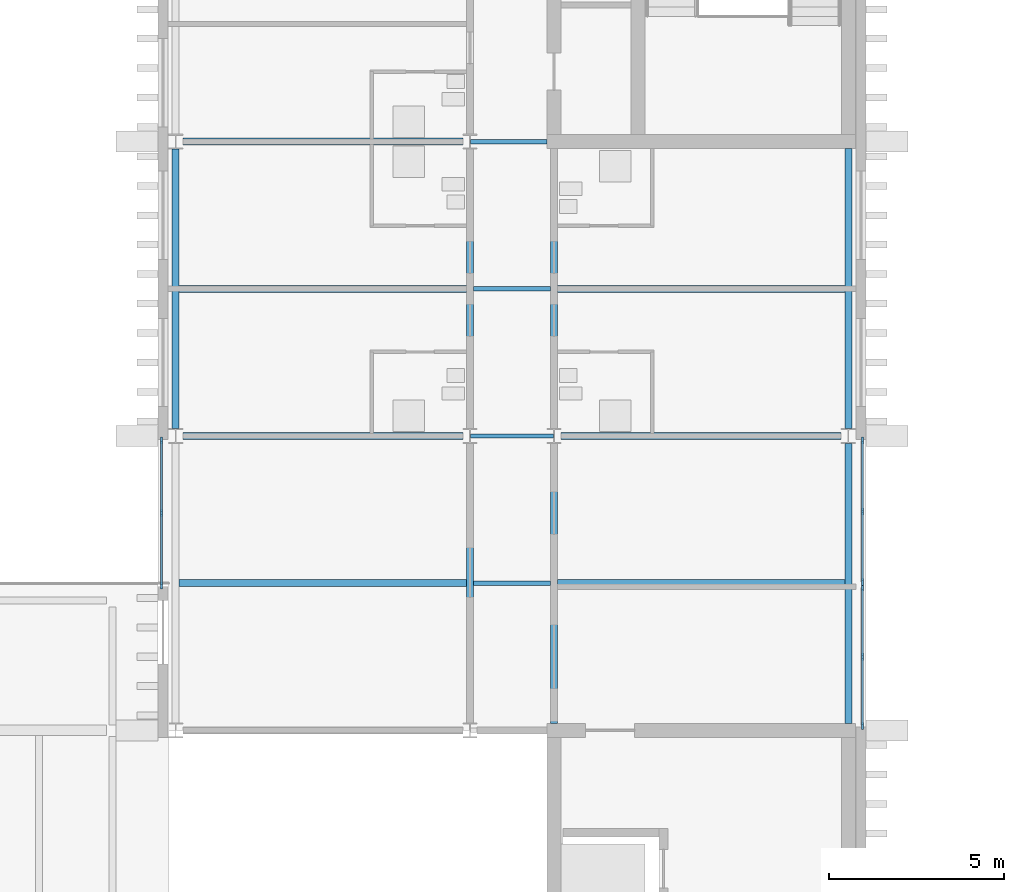
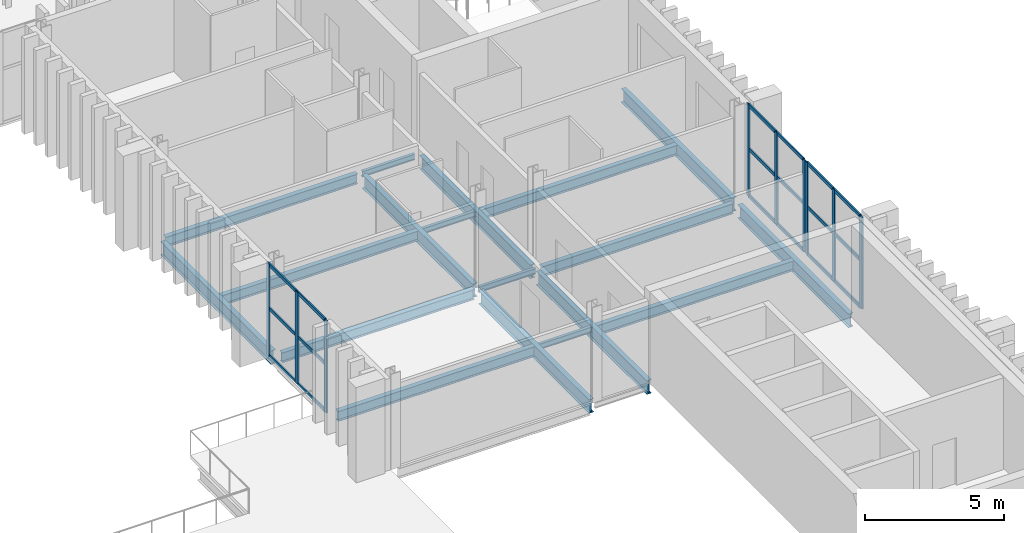
# One storey, part 39 of 96: 27 members, 18 beams, 3 elements without a shape of their own.
"""IFC4 building model written with IfcOpenShell, lengths in metres."""

from ifc_helpers import new_model, si_unit, direction, frame, origin, origin_2d, place, context, subcontext, project, spatial, rectangle, i_section, extrude, material, material_profile, profile_set, type_object, element, aggregate, save


model = new_model("IFC4")

# Units and contexts
model_context = context("Model", 3, precision=1e-05, world=origin(), true_north=direction((0.0, 1.0)))
body_context = subcontext(model_context, "Body", "Model", "MODEL_VIEW")
ifc_project = project(units=[si_unit("LENGTHUNIT", "METRE"), si_unit("AREAUNIT", "SQUARE_METRE"), si_unit("VOLUMEUNIT", "CUBIC_METRE"), si_unit("PLANEANGLEUNIT", "RADIAN"), si_unit("MASSUNIT", "GRAM", prefix="KILO")], contexts=[model_context])

# Site, building, storey
site_placement = place(None, origin())
site = spatial("IfcSite", under=ifc_project, at=site_placement, CompositionType="ELEMENT")
building_placement = place(site_placement, origin())
building = spatial("IfcBuilding", under=site, at=building_placement, Name="Cresset Court Congress Hotel", CompositionType="ELEMENT")
storey_placement = place(building_placement, frame((0.0, 0.0, 6.0)))
storey = spatial("IfcBuildingStorey", under=building, at=storey_placement, Name="L01", CompositionType="ELEMENT", Elevation=6.0)

# Curtain wall, members
ifc_material_1 = material(Name="Aluminium and glass", Category="aluminium")
curtain_wall_type = type_object("IfcCurtainWallType", Name="Curtain wall 1680 module", PredefinedType="NOTDEFINED", material=ifc_material_1)
curtain_wall_1_placement = place(storey_placement, origin())
curtain_wall_1 = element("IfcCurtainWall", 1, at=curtain_wall_1_placement, inside=storey, type_object=curtain_wall_type, Name="Lounge glazing west", PredefinedType="NOTDEFINED")
ifc_material_2 = material(Name="Anodised aluminium", Category="aluminium")
ifc_material_profile_1 = material_profile(ifc_material_2, rectangle(XDim=0.06005859375, YDim=0.199951171875, at=origin_2d()), Name="RECT60x200")
ifc_profile_set_1 = profile_set([ifc_material_profile_1], Name="Anodised aluminium")
member_type_1 = type_object("IfcMemberType", Name="Curtain wall mullion 60x200", PredefinedType="MULLION", material=ifc_profile_set_1)
member_1_placement = place(storey_placement, frame((156.800048828125, 46.1298828125, 0.0), z_axis=(0.0, 0.0, 1.0), x_axis=(-1.0, 0.0, 0.0)))
member_1 = element("IfcMember", 2, at=member_1_placement, type_object=member_type_1, Name="A-X1 mullion 1", PredefinedType="MULLION", context=body_context, shape_type="SweptSolid", body=[
    extrude(rectangle(XDim=0.06005859375, YDim=0.199951171875, at=origin_2d()), origin(), (0.0, 0.0, 1.0), 4.050048828125),
])
member_2_placement = place(storey_placement, frame((156.800048828125, 48.199951171875, 0.0), z_axis=(0.0, 0.0, 1.0), x_axis=(-1.0, 0.0, 0.0)))
member_2 = element("IfcMember", 3, at=member_2_placement, type_object=member_type_1, Name="A-X1 mullion 2", PredefinedType="MULLION", context=body_context, shape_type="SweptSolid", body=[
    extrude(rectangle(XDim=0.06005859375, YDim=0.199951171875, at=origin_2d()), origin(), (0.0, 0.0, 1.0), 4.050048828125),
])
member_3_placement = place(storey_placement, frame((156.800048828125, 50.27001953125, 0.0), z_axis=(0.0, 0.0, 1.0), x_axis=(-1.0, 0.0, 0.0)))
member_3 = element("IfcMember", 4, at=member_3_placement, type_object=member_type_1, Name="A-X1 mullion 3", PredefinedType="MULLION", context=body_context, shape_type="SweptSolid", body=[
    extrude(rectangle(XDim=0.06005859375, YDim=0.199951171875, at=origin_2d()), origin(), (0.0, 0.0, 1.0), 4.050048828125),
])

curtain_wall_2_placement = place(storey_placement, origin())
curtain_wall_2 = element("IfcCurtainWall", 5, at=curtain_wall_2_placement, inside=storey, type_object=curtain_wall_type, Name="Arrival lobby glazing east", PredefinedType="NOTDEFINED")
member_4_placement = place(storey_placement, frame((176.800048828125, 42.1298828125, 0.0), z_axis=(0.0, 0.0, 1.0), x_axis=(-1.0, 0.0, 0.0)))
member_4 = element("IfcMember", 6, at=member_4_placement, type_object=member_type_1, Name="A-X1 mullion 1", PredefinedType="MULLION", context=body_context, shape_type="SweptSolid", body=[
    extrude(rectangle(XDim=0.06005859375, YDim=0.199951171875, at=origin_2d()), origin(), (0.0, 0.0, 1.0), 4.050048828125),
])
member_5_placement = place(storey_placement, frame((176.800048828125, 44.10009765625, 0.0), z_axis=(0.0, 0.0, 1.0), x_axis=(-1.0, 0.0, 0.0)))
member_5 = element("IfcMember", 7, at=member_5_placement, type_object=member_type_1, Name="A-X1 mullion 2", PredefinedType="MULLION", context=body_context, shape_type="SweptSolid", body=[
    extrude(rectangle(XDim=0.06005859375, YDim=0.199951171875, at=origin_2d()), origin(), (0.0, 0.0, 1.0), 4.050048828125),
])
member_6_placement = place(storey_placement, frame((176.800048828125, 46.070068359375, 0.0), z_axis=(0.0, 0.0, 1.0), x_axis=(-1.0, 0.0, 0.0)))
member_6 = element("IfcMember", 8, at=member_6_placement, type_object=member_type_1, Name="A-X1 mullion 3", PredefinedType="MULLION", context=body_context, shape_type="SweptSolid", body=[
    extrude(rectangle(XDim=0.06005859375, YDim=0.199951171875, at=origin_2d()), origin(), (0.0, 0.0, 1.0), 4.050048828125),
])

curtain_wall_3_placement = place(storey_placement, origin())
curtain_wall_3 = element("IfcCurtainWall", 9, at=curtain_wall_3_placement, inside=storey, type_object=curtain_wall_type, Name="Health club glazing east", PredefinedType="NOTDEFINED")
member_7_placement = place(storey_placement, frame((176.800048828125, 46.22998046875, 0.0), z_axis=(0.0, 0.0, 1.0), x_axis=(-1.0, 0.0, 0.0)))
member_7 = element("IfcMember", 10, at=member_7_placement, type_object=member_type_1, Name="A-X1 mullion 1", PredefinedType="MULLION", context=body_context, shape_type="SweptSolid", body=[
    extrude(rectangle(XDim=0.06005859375, YDim=0.199951171875, at=origin_2d()), origin(), (0.0, 0.0, 1.0), 4.050048828125),
])
member_8_placement = place(storey_placement, frame((176.800048828125, 48.25, 0.0), z_axis=(0.0, 0.0, 1.0), x_axis=(-1.0, 0.0, 0.0)))
member_8 = element("IfcMember", 11, at=member_8_placement, type_object=member_type_1, Name="A-X1 mullion 2", PredefinedType="MULLION", context=body_context, shape_type="SweptSolid", body=[
    extrude(rectangle(XDim=0.06005859375, YDim=0.199951171875, at=origin_2d()), origin(), (0.0, 0.0, 1.0), 4.050048828125),
])
member_9_placement = place(storey_placement, frame((176.800048828125, 50.27001953125, 0.0), z_axis=(0.0, 0.0, 1.0), x_axis=(-1.0, 0.0, 0.0)))
member_9 = element("IfcMember", 12, at=member_9_placement, type_object=member_type_1, Name="A-X1 mullion 3", PredefinedType="MULLION", context=body_context, shape_type="SweptSolid", body=[
    extrude(rectangle(XDim=0.06005859375, YDim=0.199951171875, at=origin_2d()), origin(), (0.0, 0.0, 1.0), 4.050048828125),
])

# Member
ifc_material_3 = material(Name="Anodised aluminium", Category="aluminium")
ifc_material_profile_2 = material_profile(ifc_material_3, rectangle(XDim=0.06005859375, YDim=0.14990234375, at=origin_2d()), Name="RECT60x150")
ifc_profile_set_2 = profile_set([ifc_material_profile_2], Name="Anodised aluminium")
member_type_2 = type_object("IfcMemberType", Name="Curtain wall transom 60x150", PredefinedType="USERDEFINED", material=ifc_profile_set_2)
member_10_placement = place(storey_placement, frame((156.800048828125, 46.159912109375, 0.030029296875), z_axis=(0.0, 1.0, 0.0), x_axis=(-1.0, 0.0, 0.0)))
member_10 = element("IfcMember", 13, at=member_10_placement, type_object=member_type_2, Name="A-X1 transom 1.1", ObjectType="TRANSOM", PredefinedType="USERDEFINED", context=body_context, shape_type="SweptSolid", body=[
    extrude(rectangle(XDim=0.06005859375, YDim=0.14990234375, at=origin_2d()), origin(), (0.0, 0.0, 1.0), 2.010009765625),
])

member_11_placement = place(storey_placement, frame((156.800048828125, 46.159912109375, 2.10009765625), z_axis=(0.0, 1.0, 0.0), x_axis=(-1.0, 0.0, 0.0)))
member_11 = element("IfcMember", 14, at=member_11_placement, type_object=member_type_2, Name="A-X1 transom 1.2", ObjectType="TRANSOM", PredefinedType="USERDEFINED", context=body_context, shape_type="SweptSolid", body=[
    extrude(rectangle(XDim=0.06005859375, YDim=0.14990234375, at=origin_2d()), origin(), (0.0, 0.0, 1.0), 2.010009765625),
])

member_12_placement = place(storey_placement, frame((156.800048828125, 46.159912109375, 4.02001953125), z_axis=(0.0, 1.0, 0.0), x_axis=(-1.0, 0.0, 0.0)))
member_12 = element("IfcMember", 15, at=member_12_placement, type_object=member_type_2, Name="A-X1 transom 1.3", ObjectType="TRANSOM", PredefinedType="USERDEFINED", context=body_context, shape_type="SweptSolid", body=[
    extrude(rectangle(XDim=0.06005859375, YDim=0.14990234375, at=origin_2d()), origin(), (0.0, 0.0, 1.0), 2.010009765625),
])

member_13_placement = place(storey_placement, frame((156.800048828125, 48.22998046875, 0.030029296875), z_axis=(0.0, 1.0, 0.0), x_axis=(-1.0, 0.0, 0.0)))
member_13 = element("IfcMember", 16, at=member_13_placement, type_object=member_type_2, Name="A-X1 transom 2.1", ObjectType="TRANSOM", PredefinedType="USERDEFINED", context=body_context, shape_type="SweptSolid", body=[
    extrude(rectangle(XDim=0.06005859375, YDim=0.14990234375, at=origin_2d()), origin(), (0.0, 0.0, 1.0), 2.010009765625),
])

member_14_placement = place(storey_placement, frame((156.800048828125, 48.22998046875, 2.10009765625), z_axis=(0.0, 1.0, 0.0), x_axis=(-1.0, 0.0, 0.0)))
member_14 = element("IfcMember", 17, at=member_14_placement, type_object=member_type_2, Name="A-X1 transom 2.2", ObjectType="TRANSOM", PredefinedType="USERDEFINED", context=body_context, shape_type="SweptSolid", body=[
    extrude(rectangle(XDim=0.06005859375, YDim=0.14990234375, at=origin_2d()), origin(), (0.0, 0.0, 1.0), 2.010009765625),
])

member_15_placement = place(storey_placement, frame((156.800048828125, 48.22998046875, 4.02001953125), z_axis=(0.0, 1.0, 0.0), x_axis=(-1.0, 0.0, 0.0)))
member_15 = element("IfcMember", 18, at=member_15_placement, type_object=member_type_2, Name="A-X1 transom 2.3", ObjectType="TRANSOM", PredefinedType="USERDEFINED", context=body_context, shape_type="SweptSolid", body=[
    extrude(rectangle(XDim=0.06005859375, YDim=0.14990234375, at=origin_2d()), origin(), (0.0, 0.0, 1.0), 2.010009765625),
])

aggregate(curtain_wall_1, [member_1, member_2, member_3, member_10, member_11, member_12, member_13, member_14, member_15])

member_16_placement = place(storey_placement, frame((176.800048828125, 42.159912109375, 0.030029296875), z_axis=(0.0, 1.0, 0.0), x_axis=(-1.0, 0.0, 0.0)))
member_16 = element("IfcMember", 19, at=member_16_placement, type_object=member_type_2, Name="A-X1 transom 1.1", ObjectType="TRANSOM", PredefinedType="USERDEFINED", context=body_context, shape_type="SweptSolid", body=[
    extrude(rectangle(XDim=0.06005859375, YDim=0.14990234375, at=origin_2d()), origin(), (0.0, 0.0, 1.0), 1.91015625),
])

member_17_placement = place(storey_placement, frame((176.800048828125, 42.159912109375, 2.10009765625), z_axis=(0.0, 1.0, 0.0), x_axis=(-1.0, 0.0, 0.0)))
member_17 = element("IfcMember", 20, at=member_17_placement, type_object=member_type_2, Name="A-X1 transom 1.2", ObjectType="TRANSOM", PredefinedType="USERDEFINED", context=body_context, shape_type="SweptSolid", body=[
    extrude(rectangle(XDim=0.06005859375, YDim=0.14990234375, at=origin_2d()), origin(), (0.0, 0.0, 1.0), 1.91015625),
])

member_18_placement = place(storey_placement, frame((176.800048828125, 42.159912109375, 4.02001953125), z_axis=(0.0, 1.0, 0.0), x_axis=(-1.0, 0.0, 0.0)))
member_18 = element("IfcMember", 21, at=member_18_placement, type_object=member_type_2, Name="A-X1 transom 1.3", ObjectType="TRANSOM", PredefinedType="USERDEFINED", context=body_context, shape_type="SweptSolid", body=[
    extrude(rectangle(XDim=0.06005859375, YDim=0.14990234375, at=origin_2d()), origin(), (0.0, 0.0, 1.0), 1.91015625),
])

member_19_placement = place(storey_placement, frame((176.800048828125, 44.1298828125, 0.030029296875), z_axis=(0.0, 1.0, 0.0), x_axis=(-1.0, 0.0, 0.0)))
member_19 = element("IfcMember", 22, at=member_19_placement, type_object=member_type_2, Name="A-X1 transom 2.1", ObjectType="TRANSOM", PredefinedType="USERDEFINED", context=body_context, shape_type="SweptSolid", body=[
    extrude(rectangle(XDim=0.06005859375, YDim=0.14990234375, at=origin_2d()), origin(), (0.0, 0.0, 1.0), 1.91015625),
])

member_20_placement = place(storey_placement, frame((176.800048828125, 44.1298828125, 2.10009765625), z_axis=(0.0, 1.0, 0.0), x_axis=(-1.0, 0.0, 0.0)))
member_20 = element("IfcMember", 23, at=member_20_placement, type_object=member_type_2, Name="A-X1 transom 2.2", ObjectType="TRANSOM", PredefinedType="USERDEFINED", context=body_context, shape_type="SweptSolid", body=[
    extrude(rectangle(XDim=0.06005859375, YDim=0.14990234375, at=origin_2d()), origin(), (0.0, 0.0, 1.0), 1.91015625),
])

member_21_placement = place(storey_placement, frame((176.800048828125, 44.1298828125, 4.02001953125), z_axis=(0.0, 1.0, 0.0), x_axis=(-1.0, 0.0, 0.0)))
member_21 = element("IfcMember", 24, at=member_21_placement, type_object=member_type_2, Name="A-X1 transom 2.3", ObjectType="TRANSOM", PredefinedType="USERDEFINED", context=body_context, shape_type="SweptSolid", body=[
    extrude(rectangle(XDim=0.06005859375, YDim=0.14990234375, at=origin_2d()), origin(), (0.0, 0.0, 1.0), 1.91015625),
])

aggregate(curtain_wall_2, [member_4, member_5, member_6, member_16, member_17, member_18, member_19, member_20, member_21])

member_22_placement = place(storey_placement, frame((176.800048828125, 46.260009765625, 0.030029296875), z_axis=(0.0, 1.0, 0.0), x_axis=(-1.0, 0.0, 0.0)))
member_22 = element("IfcMember", 25, at=member_22_placement, type_object=member_type_2, Name="A-X1 transom 1.1", ObjectType="TRANSOM", PredefinedType="USERDEFINED", context=body_context, shape_type="SweptSolid", body=[
    extrude(rectangle(XDim=0.06005859375, YDim=0.14990234375, at=origin_2d()), origin(), (0.0, 0.0, 1.0), 1.9599609375),
])

member_23_placement = place(storey_placement, frame((176.800048828125, 46.260009765625, 2.10009765625), z_axis=(0.0, 1.0, 0.0), x_axis=(-1.0, 0.0, 0.0)))
member_23 = element("IfcMember", 26, at=member_23_placement, type_object=member_type_2, Name="A-X1 transom 1.2", ObjectType="TRANSOM", PredefinedType="USERDEFINED", context=body_context, shape_type="SweptSolid", body=[
    extrude(rectangle(XDim=0.06005859375, YDim=0.14990234375, at=origin_2d()), origin(), (0.0, 0.0, 1.0), 1.9599609375),
])

member_24_placement = place(storey_placement, frame((176.800048828125, 46.260009765625, 4.02001953125), z_axis=(0.0, 1.0, 0.0), x_axis=(-1.0, 0.0, 0.0)))
member_24 = element("IfcMember", 27, at=member_24_placement, type_object=member_type_2, Name="A-X1 transom 1.3", ObjectType="TRANSOM", PredefinedType="USERDEFINED", context=body_context, shape_type="SweptSolid", body=[
    extrude(rectangle(XDim=0.06005859375, YDim=0.14990234375, at=origin_2d()), origin(), (0.0, 0.0, 1.0), 1.9599609375),
])

member_25_placement = place(storey_placement, frame((176.800048828125, 48.280029296875, 0.030029296875), z_axis=(0.0, 1.0, 0.0), x_axis=(-1.0, 0.0, 0.0)))
member_25 = element("IfcMember", 28, at=member_25_placement, type_object=member_type_2, Name="A-X1 transom 2.1", ObjectType="TRANSOM", PredefinedType="USERDEFINED", context=body_context, shape_type="SweptSolid", body=[
    extrude(rectangle(XDim=0.06005859375, YDim=0.14990234375, at=origin_2d()), origin(), (0.0, 0.0, 1.0), 1.9599609375),
])

member_26_placement = place(storey_placement, frame((176.800048828125, 48.280029296875, 2.10009765625), z_axis=(0.0, 1.0, 0.0), x_axis=(-1.0, 0.0, 0.0)))
member_26 = element("IfcMember", 29, at=member_26_placement, type_object=member_type_2, Name="A-X1 transom 2.2", ObjectType="TRANSOM", PredefinedType="USERDEFINED", context=body_context, shape_type="SweptSolid", body=[
    extrude(rectangle(XDim=0.06005859375, YDim=0.14990234375, at=origin_2d()), origin(), (0.0, 0.0, 1.0), 1.9599609375),
])

member_27_placement = place(storey_placement, frame((176.800048828125, 48.280029296875, 4.02001953125), z_axis=(0.0, 1.0, 0.0), x_axis=(-1.0, 0.0, 0.0)))
member_27 = element("IfcMember", 30, at=member_27_placement, type_object=member_type_2, Name="A-X1 transom 2.3", ObjectType="TRANSOM", PredefinedType="USERDEFINED", context=body_context, shape_type="SweptSolid", body=[
    extrude(rectangle(XDim=0.06005859375, YDim=0.14990234375, at=origin_2d()), origin(), (0.0, 0.0, 1.0), 1.9599609375),
])

aggregate(curtain_wall_3, [member_7, member_8, member_9, member_22, member_23, member_24, member_25, member_26, member_27])

# Beams
ifc_material_4 = material(Name="Structural steel Q355B", Category="steel")
ifc_material_profile_3 = material_profile(ifc_material_4, i_section(OverallWidth=0.198974609375, OverallDepth=0.446044921875, WebThickness=0.008056640625, FlangeThickness=0.011962890625, FilletRadius=0.012939453125, at=origin_2d()), Name="HN446x199x8x12")
ifc_profile_set_3 = profile_set([ifc_material_profile_3], Name="Structural steel Q355B")
beam_type_1 = type_object("IfcBeamType", Name="Steel beam HN446x199x8x12", PredefinedType="BEAM", material=ifc_profile_set_3)
for number, where, z_axis, x_axis, name in (
    (31, (157.300048828125, 46.199951171875, -0.373046875), (1.0, 0.0, 0.0), (0.0, 1.0, 0.0), "A.bm.L01.W.mid.5"),
    (32, (168.10009765625, 46.199951171875, -0.373046875), (1.0, 0.0, 0.0), (0.0, 1.0, 0.0), "A.bm.L01.E.mid.5"),
):
    element("IfcBeam", number, at=place(storey_placement, frame(where, z_axis=z_axis, x_axis=x_axis)), inside=storey, type_object=beam_type_1, Name=name, PredefinedType="BEAM", context=body_context, shape_type="SweptSolid", body=[
        extrude(i_section(OverallWidth=0.198974609375, OverallDepth=0.446044921875, WebThickness=0.008056640625, FlangeThickness=0.011962890625, FilletRadius=0.012939453125, at=origin_2d()), origin(), (0.0, 0.0, 1.0), 8.199951171875),
    ])
for number, where, z_axis, x_axis, name in (
    (33, (157.403564453125, 50.39990234375, -0.373046875), (1.0, 0.0, 0.0), (0.0, 1.0, 0.0), "A.bm.L01.W.frame0.6"),
    (34, (168.20361328125, 50.39990234375, -0.373046875), (1.0, 0.0, 0.0), (0.0, 1.0, 0.0), "A.bm.L01.E.frame0.6"),
):
    element("IfcBeam", number, at=place(storey_placement, frame(where, z_axis=z_axis, x_axis=x_axis)), inside=storey, type_object=beam_type_1, Name=name, PredefinedType="BEAM", context=body_context, shape_type="SweptSolid", body=[
        extrude(i_section(OverallWidth=0.198974609375, OverallDepth=0.446044921875, WebThickness=0.008056640625, FlangeThickness=0.011962890625, FilletRadius=0.012939453125, at=origin_2d()), origin(), (0.0, 0.0, 1.0), 7.992919921875),
    ])
for number, where, z_axis, x_axis, name in (
    (35, (157.300048828125, 54.60009765625, -0.373046875), (1.0, 0.0, 0.0), (0.0, 1.0, 0.0), "A.bm.L01.W.mid.6"),
    (36, (168.10009765625, 54.60009765625, -0.373046875), (1.0, 0.0, 0.0), (0.0, 1.0, 0.0), "A.bm.L01.E.mid.6"),
):
    element("IfcBeam", number, at=place(storey_placement, frame(where, z_axis=z_axis, x_axis=x_axis)), inside=storey, type_object=beam_type_1, Name=name, PredefinedType="BEAM", context=body_context, shape_type="SweptSolid", body=[
        extrude(i_section(OverallWidth=0.198974609375, OverallDepth=0.446044921875, WebThickness=0.008056640625, FlangeThickness=0.011962890625, FilletRadius=0.012939453125, at=origin_2d()), origin(), (0.0, 0.0, 1.0), 8.199951171875),
    ])
beam_1_placement = place(storey_placement, frame((157.403564453125, 58.800048828125, -0.373046875), z_axis=(1.0, 0.0, 0.0), x_axis=(0.0, 1.0, 0.0)))
element("IfcBeam", 37, at=beam_1_placement, inside=storey, type_object=beam_type_1, Name="A.bm.L01.W.frame0.7", PredefinedType="BEAM", context=body_context, shape_type="SweptSolid", body=[
    extrude(i_section(OverallWidth=0.198974609375, OverallDepth=0.446044921875, WebThickness=0.008056640625, FlangeThickness=0.011962890625, FilletRadius=0.012939453125, at=origin_2d()), origin(), (0.0, 0.0, 1.0), 7.992919921875),
])
ifc_material_5 = material(Name="Structural steel Q355B", Category="steel")
ifc_material_profile_4 = material_profile(ifc_material_5, i_section(OverallWidth=0.125, OverallDepth=0.25, WebThickness=0.006103515625, FlangeThickness=0.009033203125, FilletRadius=0.012939453125, at=origin_2d()), Name="HN250x125x6x9")
ifc_profile_set_4 = profile_set([ifc_material_profile_4], Name="Structural steel Q355B")
beam_type_2 = type_object("IfcBeamType", Name="Steel corridor beam HN250x125x6x9", PredefinedType="BEAM", material=ifc_profile_set_4)
beam_2_placement = place(storey_placement, frame((165.699951171875, 46.199951171875, -0.27490234375), z_axis=(1.0, 0.0, 0.0), x_axis=(0.0, 1.0, 0.0)))
element("IfcBeam", 38, at=beam_2_placement, inside=storey, type_object=beam_type_2, Name="A.bm.L01.C.mid.5", PredefinedType="BEAM", context=body_context, shape_type="SweptSolid", body=[
    extrude(i_section(OverallWidth=0.125, OverallDepth=0.25, WebThickness=0.006103515625, FlangeThickness=0.009033203125, FilletRadius=0.012939453125, at=origin_2d()), origin(), (0.0, 0.0, 1.0), 2.199951171875),
])
beam_3_placement = place(storey_placement, frame((165.610107421875, 50.39990234375, -0.27490234375), z_axis=(1.0, 0.0, 0.0), x_axis=(0.0, 1.0, 0.0)))
element("IfcBeam", 39, at=beam_3_placement, inside=storey, type_object=beam_type_2, Name="A.bm.L01.C.frame0.6", PredefinedType="BEAM", context=body_context, shape_type="SweptSolid", body=[
    extrude(i_section(OverallWidth=0.125, OverallDepth=0.25, WebThickness=0.006103515625, FlangeThickness=0.009033203125, FilletRadius=0.012939453125, at=origin_2d()), origin(), (0.0, 0.0, 1.0), 2.3798828125),
])
beam_4_placement = place(storey_placement, frame((165.699951171875, 54.60009765625, -0.27490234375), z_axis=(1.0, 0.0, 0.0), x_axis=(0.0, 1.0, 0.0)))
element("IfcBeam", 40, at=beam_4_placement, inside=storey, type_object=beam_type_2, Name="A.bm.L01.C.mid.6", PredefinedType="BEAM", context=body_context, shape_type="SweptSolid", body=[
    extrude(i_section(OverallWidth=0.125, OverallDepth=0.25, WebThickness=0.006103515625, FlangeThickness=0.009033203125, FilletRadius=0.012939453125, at=origin_2d()), origin(), (0.0, 0.0, 1.0), 2.199951171875),
])
beam_5_placement = place(storey_placement, frame((165.610107421875, 58.800048828125, -0.27490234375), z_axis=(1.0, 0.0, 0.0), x_axis=(0.0, 1.0, 0.0)))
element("IfcBeam", 41, at=beam_5_placement, inside=storey, type_object=beam_type_2, Name="A.bm.L01.C.frame0.7", PredefinedType="BEAM", context=body_context, shape_type="SweptSolid", body=[
    extrude(i_section(OverallWidth=0.125, OverallDepth=0.25, WebThickness=0.006103515625, FlangeThickness=0.009033203125, FilletRadius=0.012939453125, at=origin_2d()), origin(), (0.0, 0.0, 1.0), 2.18994140625),
])
ifc_material_6 = material(Name="Structural steel Q355B", Category="steel")
ifc_material_profile_5 = material_profile(ifc_material_6, i_section(OverallWidth=0.199951171875, OverallDepth=0.60009765625, WebThickness=0.010986328125, FlangeThickness=0.01708984375, FilletRadius=0.012939453125, at=origin_2d()), Name="HN600x200x11x17")
ifc_profile_set_5 = profile_set([ifc_material_profile_5], Name="Structural steel Q355B")
beam_type_3 = type_object("IfcBeamType", Name="Steel girder HN600x200x11x17", PredefinedType="BEAM", material=ifc_profile_set_5)
for number, where, z_axis, x_axis, name in (
    (42, (157.199951171875, 50.614013671875, -0.449951171875), (0.0, 1.0, 0.0), (-1.0, 0.0, 0.0), "A.gir.L01.0.6"),
    (43, (165.60009765625, 42.214111328125, -0.449951171875), (0.0, 1.0, 0.0), (-1.0, 0.0, 0.0), "A.gir.L01.1.5"),
    (44, (165.60009765625, 50.614013671875, -0.449951171875), (0.0, 1.0, 0.0), (-1.0, 0.0, 0.0), "A.gir.L01.1.6"),
):
    element("IfcBeam", number, at=place(storey_placement, frame(where, z_axis=z_axis, x_axis=x_axis)), inside=storey, type_object=beam_type_3, Name=name, PredefinedType="BEAM", context=body_context, shape_type="SweptSolid", body=[
        extrude(i_section(OverallWidth=0.199951171875, OverallDepth=0.60009765625, WebThickness=0.010986328125, FlangeThickness=0.01708984375, FilletRadius=0.012939453125, at=origin_2d()), origin(), (0.0, 0.0, 1.0), 7.971923828125),
    ])
for number, where, z_axis, x_axis, name in (
    (45, (168.0, 42.199951171875, -0.449951171875), (0.0, 1.0, 0.0), (-1.0, 0.0, 0.0), "A.gir.L01.2.5"),
    (46, (168.0, 50.614013671875, -0.449951171875), (0.0, 1.0, 0.0), (-1.0, 0.0, 0.0), "A.gir.L01.2.6"),
    (47, (176.39990234375, 42.199951171875, -0.449951171875), (0.0, 1.0, 0.0), (-1.0, 0.0, 0.0), "A.gir.L01.3.5"),
    (48, (176.39990234375, 50.614013671875, -0.449951171875), (0.0, 1.0, 0.0), (-1.0, 0.0, 0.0), "A.gir.L01.3.6"),
):
    element("IfcBeam", number, at=place(storey_placement, frame(where, z_axis=z_axis, x_axis=x_axis)), inside=storey, type_object=beam_type_3, Name=name, PredefinedType="BEAM", context=body_context, shape_type="SweptSolid", body=[
        extrude(i_section(OverallWidth=0.199951171875, OverallDepth=0.60009765625, WebThickness=0.010986328125, FlangeThickness=0.01708984375, FilletRadius=0.012939453125, at=origin_2d()), origin(), (0.0, 0.0, 1.0), 7.986083984375),
    ])

save(model, "model.ifc")
